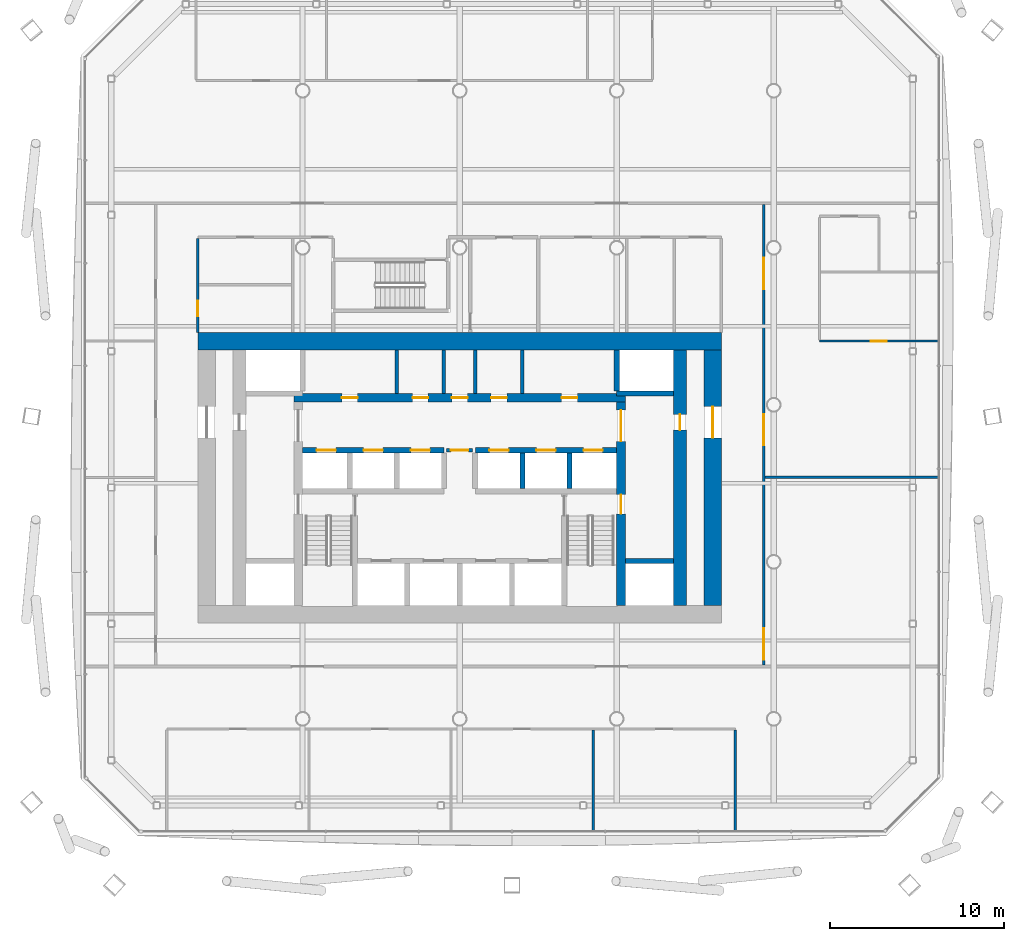
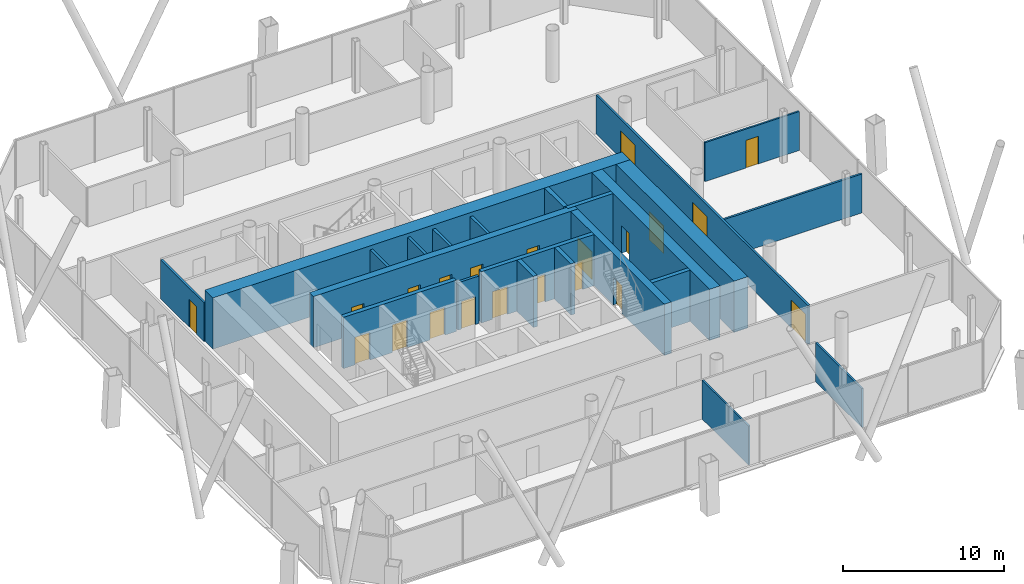
# One storey, part 15 of 22: 23 walls, 21 doors, 21 openings.
"""IFC4 building model written with IfcOpenShell, lengths in metres."""

from ifc_helpers import new_model, si_unit, direction, frame, frame_2d, origin, place, context, subcontext, project, spatial, rectangle, extrude, material, layer, layer_set, type_object, element, fill, save


model = new_model("IFC4")

# Units and contexts
model_context = context("Model", 3, precision=1e-05, world=origin(), true_north=direction((0.0, 1.0)))
body_context = subcontext(model_context, "Body", "Model", "MODEL_VIEW")
ifc_project = project(units=[si_unit("LENGTHUNIT", "METRE"), si_unit("AREAUNIT", "SQUARE_METRE"), si_unit("VOLUMEUNIT", "CUBIC_METRE"), si_unit("PLANEANGLEUNIT", "RADIAN"), si_unit("MASSUNIT", "GRAM", prefix="KILO")], contexts=[model_context])

# Site, building, storey
site_placement = place(None, origin())
site = spatial("IfcSite", under=ifc_project, at=site_placement, CompositionType="ELEMENT")
building_placement = place(site_placement, origin())
building = spatial("IfcBuilding", under=site, at=building_placement, Name="Tskaro Facet Tower", CompositionType="ELEMENT")
storey_placement = place(building_placement, frame((0.0, 0.0, 85.5)))
storey = spatial("IfcBuildingStorey", under=building, at=storey_placement, Name="L20", CompositionType="ELEMENT", Elevation=85.5)

# Wall
ifc_material_1 = material(Name="Concrete C60/75", Category="concrete")
ifc_layer_1 = layer(ifc_material_1, 0.300048828125, Name="Concrete C60/75")
ifc_layer_set_1 = layer_set([ifc_layer_1], Name="Concrete C60/75")
wall_type_1 = type_object("IfcWallType", Name="CORE-SHAFT", PredefinedType="SHEAR", material=ifc_layer_set_1)
wall_1_placement = place(storey_placement, frame((9.5, -8.949951171875, 0.0), z_axis=(0.0, 0.0, 1.0), x_axis=(1.0, 0.0, 0.0)))
element("IfcWall", 1, at=wall_1_placement, inside=storey, type_object=wall_type_1, Name="Shaft wall W006", PredefinedType="SHEAR", context=body_context, shape_type="SweptSolid", body=[
    extrude(rectangle(XDim=2.75, YDim=0.300048828125, at=frame_2d((1.375, 0.0))), origin(), (0.0, 0.0, 1.0), 3.89990234375),
])

# Wall, openings, doors
wall_2_placement = place(storey_placement, frame((-9.0, -2.60009765625, 0.0), z_axis=(0.0, 0.0, 1.0), x_axis=(1.0, 0.0, 0.0)))
wall_2 = element("IfcWall", 2, at=wall_2_placement, inside=storey, type_object=wall_type_1, Name="Shaft wall W011", PredefinedType="SHEAR", context=body_context, shape_type="SweptSolid", body=[
    extrude(rectangle(XDim=8.10009765625, YDim=0.300048828125, at=frame_2d((4.050048828125, 0.0))), origin(), (0.0, 0.0, 1.0), 3.89990234375),
])
opening_1_placement = place(wall_2_placement, frame((0.800048828125, 0.0, 0.0)))
opening_1 = element("IfcOpeningElement", 3, at=opening_1_placement, cuts=wall_2, Name="Opening LD-LR1", PredefinedType="OPENING", context=body_context, shape_type="SweptSolid", body=[
    extrude(rectangle(XDim=1.10009765625, YDim=2.10009765625, at=frame_2d((0.550048828125, 1.050048828125))), frame((0.0, 0.159912109375, 0.0), z_axis=(0.0, -1.0, 0.0), x_axis=(1.0, 0.0, 0.0)), (0.0, 0.0, 1.0), 0.320068359375),
])
opening_2_placement = place(wall_2_placement, frame((3.5, 0.0, 0.0)))
opening_2 = element("IfcOpeningElement", 4, at=opening_2_placement, cuts=wall_2, Name="Opening LD-LR2", PredefinedType="OPENING", context=body_context, shape_type="SweptSolid", body=[
    extrude(rectangle(XDim=1.10009765625, YDim=2.10009765625, at=frame_2d((0.550048828125, 1.050048828125))), frame((0.0, 0.159912109375, 0.0), z_axis=(0.0, -1.0, 0.0), x_axis=(1.0, 0.0, 0.0)), (0.0, 0.0, 1.0), 0.320068359375),
])
opening_3_placement = place(wall_2_placement, frame((6.199951171875, 0.0, 0.0)))
opening_3 = element("IfcOpeningElement", 5, at=opening_3_placement, cuts=wall_2, Name="Opening LD-LR3", PredefinedType="OPENING", context=body_context, shape_type="SweptSolid", body=[
    extrude(rectangle(XDim=1.10009765625, YDim=2.10009765625, at=frame_2d((0.550048828125, 1.050048828125))), frame((0.0, 0.159912109375, 0.0), z_axis=(0.0, -1.0, 0.0), x_axis=(1.0, 0.0, 0.0)), (0.0, 0.0, 1.0), 0.320068359375),
])
ifc_material_2 = material(Name="Stainless steel", Category="steel")
door_type_1 = type_object("IfcDoorType", Name="D-LANDING", OperationType="NOTDEFINED", PredefinedType="DOOR", material=ifc_material_2)
door_1_placement = place(opening_1_placement, origin())
door_1 = element("IfcDoor", 6, at=door_1_placement, inside=storey, type_object=door_type_1, Name="Landing door LR1", OperationType="DOUBLE_DOOR_SLIDING", OverallHeight=2.10009765625, OverallWidth=1.10009765625, PredefinedType="DOOR", context=body_context, shape_type="SweptSolid", body=[
    extrude(rectangle(XDim=1.10009765625, YDim=2.10009765625, at=frame_2d((0.550048828125, 1.050048828125))), frame((0.0, 0.02490234375, 0.0), z_axis=(0.0, -1.0, 0.0), x_axis=(1.0, 0.0, 0.0)), (0.0, 0.0, 1.0), 0.050048828125),
])
fill(opening_1, door_1)
door_2_placement = place(opening_2_placement, origin())
door_2 = element("IfcDoor", 7, at=door_2_placement, inside=storey, type_object=door_type_1, Name="Landing door LR2", OperationType="DOUBLE_DOOR_SLIDING", OverallHeight=2.10009765625, OverallWidth=1.10009765625, PredefinedType="DOOR", context=body_context, shape_type="SweptSolid", body=[
    extrude(rectangle(XDim=1.10009765625, YDim=2.10009765625, at=frame_2d((0.550048828125, 1.050048828125))), frame((0.0, 0.02490234375, 0.0), z_axis=(0.0, -1.0, 0.0), x_axis=(1.0, 0.0, 0.0)), (0.0, 0.0, 1.0), 0.050048828125),
])
fill(opening_2, door_2)
door_3_placement = place(opening_3_placement, origin())
door_3 = element("IfcDoor", 8, at=door_3_placement, inside=storey, type_object=door_type_1, Name="Landing door LR3", OperationType="DOUBLE_DOOR_SLIDING", OverallHeight=2.10009765625, OverallWidth=1.10009765625, PredefinedType="DOOR", context=body_context, shape_type="SweptSolid", body=[
    extrude(rectangle(XDim=1.10009765625, YDim=2.10009765625, at=frame_2d((0.550048828125, 1.050048828125))), frame((0.0, 0.02490234375, 0.0), z_axis=(0.0, -1.0, 0.0), x_axis=(1.0, 0.0, 0.0)), (0.0, 0.0, 1.0), 0.050048828125),
])
fill(opening_3, door_3)

wall_3_placement = place(storey_placement, frame((0.89990234375, -2.60009765625, 0.0), z_axis=(0.0, 0.0, 1.0), x_axis=(1.0, 0.0, 0.0)))
wall_3 = element("IfcWall", 9, at=wall_3_placement, inside=storey, type_object=wall_type_1, Name="Shaft wall W013", PredefinedType="SHEAR", context=body_context, shape_type="SweptSolid", body=[
    extrude(rectangle(XDim=8.10009765625, YDim=0.300048828125, at=frame_2d((4.050048828125, 0.0))), origin(), (0.0, 0.0, 1.0), 3.89990234375),
])
opening_4_placement = place(wall_3_placement, frame((0.800048828125, 0.0, 0.0)))
opening_4 = element("IfcOpeningElement", 10, at=opening_4_placement, cuts=wall_3, Name="Opening LD-LR4", PredefinedType="OPENING", context=body_context, shape_type="SweptSolid", body=[
    extrude(rectangle(XDim=1.10009765625, YDim=2.10009765625, at=frame_2d((0.550048828125, 1.050048828125))), frame((0.0, 0.159912109375, 0.0), z_axis=(0.0, -1.0, 0.0), x_axis=(1.0, 0.0, 0.0)), (0.0, 0.0, 1.0), 0.320068359375),
])
opening_5_placement = place(wall_3_placement, frame((3.5, 0.0, 0.0)))
opening_5 = element("IfcOpeningElement", 11, at=opening_5_placement, cuts=wall_3, Name="Opening LD-LR5", PredefinedType="OPENING", context=body_context, shape_type="SweptSolid", body=[
    extrude(rectangle(XDim=1.10009765625, YDim=2.10009765625, at=frame_2d((0.550048828125, 1.050048828125))), frame((0.0, 0.159912109375, 0.0), z_axis=(0.0, -1.0, 0.0), x_axis=(1.0, 0.0, 0.0)), (0.0, 0.0, 1.0), 0.320068359375),
])
opening_6_placement = place(wall_3_placement, frame((6.199951171875, 0.0, 0.0)))
opening_6 = element("IfcOpeningElement", 12, at=opening_6_placement, cuts=wall_3, Name="Opening LD-LR6", PredefinedType="OPENING", context=body_context, shape_type="SweptSolid", body=[
    extrude(rectangle(XDim=1.10009765625, YDim=2.10009765625, at=frame_2d((0.550048828125, 1.050048828125))), frame((0.0, 0.159912109375, 0.0), z_axis=(0.0, -1.0, 0.0), x_axis=(1.0, 0.0, 0.0)), (0.0, 0.0, 1.0), 0.320068359375),
])
door_4_placement = place(opening_4_placement, origin())
door_4 = element("IfcDoor", 13, at=door_4_placement, inside=storey, type_object=door_type_1, Name="Landing door LR4", OperationType="DOUBLE_DOOR_SLIDING", OverallHeight=2.10009765625, OverallWidth=1.10009765625, PredefinedType="DOOR", context=body_context, shape_type="SweptSolid", body=[
    extrude(rectangle(XDim=1.10009765625, YDim=2.10009765625, at=frame_2d((0.550048828125, 1.050048828125))), frame((0.0, 0.02490234375, 0.0), z_axis=(0.0, -1.0, 0.0), x_axis=(1.0, 0.0, 0.0)), (0.0, 0.0, 1.0), 0.050048828125),
])
fill(opening_4, door_4)
door_5_placement = place(opening_5_placement, origin())
door_5 = element("IfcDoor", 14, at=door_5_placement, inside=storey, type_object=door_type_1, Name="Landing door LR5", OperationType="DOUBLE_DOOR_SLIDING", OverallHeight=2.10009765625, OverallWidth=1.10009765625, PredefinedType="DOOR", context=body_context, shape_type="SweptSolid", body=[
    extrude(rectangle(XDim=1.10009765625, YDim=2.10009765625, at=frame_2d((0.550048828125, 1.050048828125))), frame((0.0, 0.02490234375, 0.0), z_axis=(0.0, -1.0, 0.0), x_axis=(1.0, 0.0, 0.0)), (0.0, 0.0, 1.0), 0.050048828125),
])
fill(opening_5, door_5)
door_6_placement = place(opening_6_placement, origin())
door_6 = element("IfcDoor", 15, at=door_6_placement, inside=storey, type_object=door_type_1, Name="Landing door LR6", OperationType="DOUBLE_DOOR_SLIDING", OverallHeight=2.10009765625, OverallWidth=1.10009765625, PredefinedType="DOOR", context=body_context, shape_type="SweptSolid", body=[
    extrude(rectangle(XDim=1.10009765625, YDim=2.10009765625, at=frame_2d((0.550048828125, 1.050048828125))), frame((0.0, 0.02490234375, 0.0), z_axis=(0.0, -1.0, 0.0), x_axis=(1.0, 0.0, 0.0)), (0.0, 0.0, 1.0), 0.050048828125),
])
fill(opening_6, door_6)

# Walls
wall_4_placement = place(storey_placement, frame((12.25, 0.64990234375, 0.0), z_axis=(0.0, 0.0, 1.0), x_axis=(-1.0, 0.0, 0.0)))
element("IfcWall", 16, at=wall_4_placement, inside=storey, type_object=wall_type_1, Name="Shaft wall W015", PredefinedType="SHEAR", context=body_context, shape_type="SweptSolid", body=[
    extrude(rectangle(XDim=3.25, YDim=0.300048828125, at=frame_2d((1.625, 0.0))), origin(), (0.0, 0.0, 1.0), 3.89990234375),
])
for number, where, z_axis, x_axis, name in (
    (17, (3.60009765625, -4.800048828125, 0.0), (0.0, 0.0, 1.0), (0.0, 1.0, 0.0), "Shaft wall W054"),
    (18, (6.300048828125, -4.800048828125, 0.0), (0.0, 0.0, 1.0), (0.0, 1.0, 0.0), "Shaft wall W058"),
):
    element("IfcWall", number, at=place(storey_placement, frame(where, z_axis=z_axis, x_axis=x_axis)), inside=storey, type_object=wall_type_1, Name=name, PredefinedType="SHEAR", context=body_context, shape_type="SweptSolid", body=[
        extrude(rectangle(XDim=2.050048828125, YDim=0.300048828125, at=frame_2d((1.02490234375, 0.0))), origin(), (0.0, 0.0, 1.0), 3.89990234375),
    ])
wall_5_placement = place(storey_placement, frame((9.0, 0.800048828125, 0.0), z_axis=(0.0, 0.0, 1.0), x_axis=(0.0, 1.0, 0.0)))
element("IfcWall", 19, at=wall_5_placement, inside=storey, type_object=wall_type_1, Name="Shaft wall W061", PredefinedType="SHEAR", context=body_context, shape_type="SweptSolid", body=[
    extrude(rectangle(XDim=2.349853515625, YDim=0.300048828125, at=frame_2d((1.1748046875, 0.0))), origin(), (0.0, 0.0, 1.0), 3.89990234375),
])

# Wall, opening, door
ifc_material_3 = material(Name="Concrete C20/25", Category="concrete")
ifc_layer_2 = layer(ifc_material_3, 0.199951171875, Name="Concrete C20/25")
ifc_layer_set_2 = layer_set([ifc_layer_2], Name="Concrete C20/25")
wall_type_2 = type_object("IfcWallType", Name="CORE-WALL", PredefinedType="SOLIDWALL", material=ifc_layer_set_2)
wall_6_placement = place(storey_placement, frame((0.75, -2.60009765625, 0.0), z_axis=(0.0, 0.0, 1.0), x_axis=(-1.0, 0.0, 0.0)))
wall_6 = element("IfcWall", 20, at=wall_6_placement, inside=storey, type_object=wall_type_2, Name="Core room wall W012", PredefinedType="SOLIDWALL", context=body_context, shape_type="SweptSolid", body=[
    extrude(rectangle(XDim=1.5, YDim=0.199951171875, at=frame_2d((0.75, 0.0))), origin(), (0.0, 0.0, 1.0), 3.60009765625),
])
opening_7_placement = place(wall_6_placement, frame((0.25, 0.0, 0.0)))
opening_7 = element("IfcOpeningElement", 21, at=opening_7_placement, cuts=wall_6, Name="Opening FL-D1", PredefinedType="OPENING", context=body_context, shape_type="SweptSolid", body=[
    extrude(rectangle(XDim=1.0, YDim=2.10009765625, at=frame_2d((0.5, 1.050048828125))), frame((0.0, 0.10986328125, 0.0), z_axis=(0.0, -1.0, 0.0), x_axis=(1.0, 0.0, 0.0)), (0.0, 0.0, 1.0), 0.219970703125),
])
ifc_material_4 = material(Name="Steel", Category="steel")
door_type_2 = type_object("IfcDoorType", Name="D-LOBBY", OperationType="NOTDEFINED", PredefinedType="DOOR", material=ifc_material_4)
door_7_placement = place(opening_7_placement, origin())
door_7 = element("IfcDoor", 22, at=door_7_placement, inside=storey, type_object=door_type_2, Name="Lobby door FL", OperationType="SINGLE_SWING_RIGHT", OverallHeight=2.10009765625, OverallWidth=1.0, PredefinedType="DOOR", context=body_context, shape_type="SweptSolid", body=[
    extrude(rectangle(XDim=1.0, YDim=2.10009765625, at=frame_2d((0.5, 1.050048828125))), frame((0.0, 0.02490234375, 0.0), z_axis=(0.0, -1.0, 0.0), x_axis=(1.0, 0.0, 0.0)), (0.0, 0.0, 1.0), 0.050048828125),
])
fill(opening_7, door_7)

# Walls
for number, where, z_axis, x_axis, name in (
    (23, (-3.60009765625, 0.64990234375, 0.0), (0.0, 0.0, 1.0), (0.0, 1.0, 0.0), "Core room wall W042"),
    (24, (-0.89990234375, 0.64990234375, 0.0), (0.0, 0.0, 1.0), (0.0, 1.0, 0.0), "Core room wall W045"),
    (25, (0.89990234375, 0.64990234375, 0.0), (0.0, 0.0, 1.0), (0.0, 1.0, 0.0), "Core room wall W052"),
    (26, (3.60009765625, 0.64990234375, 0.0), (0.0, 0.0, 1.0), (0.0, 1.0, 0.0), "Core room wall W055"),
):
    element("IfcWall", number, at=place(storey_placement, frame(where, z_axis=z_axis, x_axis=x_axis)), inside=storey, type_object=wall_type_2, Name=name, PredefinedType="SOLIDWALL", context=body_context, shape_type="SweptSolid", body=[
        extrude(rectangle(XDim=2.5, YDim=0.199951171875, at=frame_2d((1.25, 0.0))), origin(), (0.0, 0.0, 1.0), 3.60009765625),
    ])
ifc_layer_3 = layer(ifc_material_1, 1.0, Name="Concrete C60/75")
ifc_layer_set_3 = layer_set([ifc_layer_3], Name="Concrete C60/75")
wall_type_3 = type_object("IfcWallType", Name="Core wall 1000", PredefinedType="SHEAR", material=ifc_layer_set_3)
wall_7_placement = place(storey_placement, frame((-15.0, 3.64990234375, 0.0), z_axis=(0.0, 0.0, 1.0), x_axis=(1.0, 0.0, 0.0)))
element("IfcWall", 27, at=wall_7_placement, inside=storey, type_object=wall_type_3, Name="Core wall CW-Z1N", PredefinedType="SHEAR", context=body_context, shape_type="SweptSolid", body=[
    extrude(rectangle(XDim=30.0, YDim=1.0, at=frame_2d((15.0, 0.0))), origin(), (0.0, 0.0, 1.0), 3.89990234375),
])

# Wall, opening, door
wall_8_placement = place(storey_placement, frame((14.5, -11.5, 0.0), z_axis=(0.0, 0.0, 1.0), x_axis=(0.0, 1.0, 0.0)))
wall_8 = element("IfcWall", 28, at=wall_8_placement, inside=storey, type_object=wall_type_3, Name="Core wall CW-Z1E", PredefinedType="SHEAR", context=body_context, shape_type="SweptSolid", body=[
    extrude(rectangle(XDim=14.64990234375, YDim=1.0, at=frame_2d((7.324951171875, 0.0))), origin(), (0.0, 0.0, 1.0), 3.89990234375),
])
opening_8_placement = place(wall_8_placement, frame((9.60009765625, 0.0, 0.0)))
opening_8 = element("IfcOpeningElement", 29, at=opening_8_placement, cuts=wall_8, Name="Opening T6-D18", PredefinedType="OPENING", context=body_context, shape_type="SweptSolid", body=[
    extrude(rectangle(XDim=1.800048828125, YDim=2.10009765625, at=frame_2d((0.89990234375, 1.050048828125))), frame((0.0, 0.510009765625, 0.0), z_axis=(0.0, -1.0, 0.0), x_axis=(1.0, 0.0, 0.0)), (0.0, 0.0, 1.0), 1.02001953125),
])
door_type_3 = type_object("IfcDoorType", Name="D-CORE-PAIR", OperationType="NOTDEFINED", PredefinedType="DOOR", material=ifc_material_4)
door_8_placement = place(opening_8_placement, origin())
door_8 = element("IfcDoor", 30, at=door_8_placement, inside=storey, type_object=door_type_3, Name="Door T6-D18", OperationType="DOUBLE_DOOR_SINGLE_SWING", OverallHeight=2.10009765625, OverallWidth=1.800048828125, PredefinedType="DOOR", context=body_context, shape_type="SweptSolid", body=[
    extrude(rectangle(XDim=1.800048828125, YDim=2.10009765625, at=frame_2d((0.89990234375, 1.050048828125))), frame((0.0, 0.02490234375, 0.0), z_axis=(0.0, -1.0, 0.0), x_axis=(1.0, 0.0, 0.0)), (0.0, 0.0, 1.0), 0.050048828125),
])
fill(opening_8, door_8)

# Wall, openings, doors
ifc_material_5 = material(Name="Concrete C40/50", Category="concrete")
ifc_layer_4 = layer(ifc_material_5, 0.5, Name="Concrete C40/50")
ifc_layer_set_4 = layer_set([ifc_layer_4], Name="Concrete C40/50")
wall_type_4 = type_object("IfcWallType", Name="Core wall 500", PredefinedType="SHEAR", material=ifc_layer_set_4)
wall_9_placement = place(storey_placement, frame((-9.5, 0.39990234375, 0.0), z_axis=(0.0, 0.0, 1.0), x_axis=(1.0, 0.0, 0.0)))
wall_9 = element("IfcWall", 31, at=wall_9_placement, inside=storey, type_object=wall_type_4, Name="Core wall CW-Z3N", PredefinedType="SHEAR", context=body_context, shape_type="SweptSolid", body=[
    extrude(rectangle(XDim=19.0, YDim=0.5, at=frame_2d((9.5, 0.0))), origin(), (0.0, 0.0, 1.0), 3.89990234375),
])
opening_9_placement = place(wall_9_placement, frame((2.75, 0.0, 0.0)))
opening_9 = element("IfcOpeningElement", 32, at=opening_9_placement, cuts=wall_9, Name="Opening T6-D20", PredefinedType="OPENING", context=body_context, shape_type="SweptSolid", body=[
    extrude(rectangle(XDim=0.89990234375, YDim=2.10009765625, at=frame_2d((0.449951171875, 1.050048828125))), frame((0.0, 0.260009765625, 0.0), z_axis=(0.0, -1.0, 0.0), x_axis=(1.0, 0.0, 0.0)), (0.0, 0.0, 1.0), 0.52001953125),
])
opening_10_placement = place(wall_9_placement, frame((6.800048828125, 0.0, 0.0)))
opening_10 = element("IfcOpeningElement", 33, at=opening_10_placement, cuts=wall_9, Name="Opening T6-D21", PredefinedType="OPENING", context=body_context, shape_type="SweptSolid", body=[
    extrude(rectangle(XDim=0.89990234375, YDim=2.10009765625, at=frame_2d((0.449951171875, 1.050048828125))), frame((0.0, 0.260009765625, 0.0), z_axis=(0.0, -1.0, 0.0), x_axis=(1.0, 0.0, 0.0)), (0.0, 0.0, 1.0), 0.52001953125),
])
opening_11_placement = place(wall_9_placement, frame((11.300048828125, 0.0, 0.0)))
opening_11 = element("IfcOpeningElement", 34, at=opening_11_placement, cuts=wall_9, Name="Opening T6-D23", PredefinedType="OPENING", context=body_context, shape_type="SweptSolid", body=[
    extrude(rectangle(XDim=0.89990234375, YDim=2.10009765625, at=frame_2d((0.449951171875, 1.050048828125))), frame((0.0, 0.260009765625, 0.0), z_axis=(0.0, -1.0, 0.0), x_axis=(1.0, 0.0, 0.0)), (0.0, 0.0, 1.0), 0.52001953125),
])
opening_12_placement = place(wall_9_placement, frame((15.35009765625, 0.0, 0.0)))
opening_12 = element("IfcOpeningElement", 35, at=opening_12_placement, cuts=wall_9, Name="Opening T6-D24", PredefinedType="OPENING", context=body_context, shape_type="SweptSolid", body=[
    extrude(rectangle(XDim=0.89990234375, YDim=2.10009765625, at=frame_2d((0.449951171875, 1.050048828125))), frame((0.0, 0.260009765625, 0.0), z_axis=(0.0, -1.0, 0.0), x_axis=(1.0, 0.0, 0.0)), (0.0, 0.0, 1.0), 0.52001953125),
])
opening_13_placement = place(wall_9_placement, frame((9.050048828125, 0.0, 0.0)))
opening_13 = element("IfcOpeningElement", 36, at=opening_13_placement, cuts=wall_9, Name="Opening T6-D22", PredefinedType="OPENING", context=body_context, shape_type="SweptSolid", body=[
    extrude(rectangle(XDim=0.89990234375, YDim=2.10009765625, at=frame_2d((0.449951171875, 1.050048828125))), frame((0.0, 0.260009765625, 0.0), z_axis=(0.0, -1.0, 0.0), x_axis=(1.0, 0.0, 0.0)), (0.0, 0.0, 1.0), 0.52001953125),
])
door_type_4 = type_object("IfcDoorType", Name="D-RISER", OperationType="NOTDEFINED", PredefinedType="DOOR", material=ifc_material_4)
door_9_placement = place(opening_13_placement, origin())
door_9 = element("IfcDoor", 37, at=door_9_placement, inside=storey, type_object=door_type_4, Name="Door T6-D22", OperationType="SINGLE_SWING_LEFT", OverallHeight=2.10009765625, OverallWidth=0.89990234375, PredefinedType="DOOR", context=body_context, shape_type="SweptSolid", body=[
    extrude(rectangle(XDim=0.89990234375, YDim=2.10009765625, at=frame_2d((0.449951171875, 1.050048828125))), frame((0.0, 0.02490234375, 0.0), z_axis=(0.0, -1.0, 0.0), x_axis=(1.0, 0.0, 0.0)), (0.0, 0.0, 1.0), 0.050048828125),
])
fill(opening_13, door_9)
ifc_material_6 = material(Name="Timber", Category="wood")
door_type_5 = type_object("IfcDoorType", Name="D-ROOM", OperationType="NOTDEFINED", PredefinedType="DOOR", material=ifc_material_6)
door_10_placement = place(opening_9_placement, origin())
door_10 = element("IfcDoor", 38, at=door_10_placement, inside=storey, type_object=door_type_5, Name="Door T6-D20", OperationType="SINGLE_SWING_LEFT", OverallHeight=2.10009765625, OverallWidth=0.89990234375, PredefinedType="DOOR", context=body_context, shape_type="SweptSolid", body=[
    extrude(rectangle(XDim=0.89990234375, YDim=2.10009765625, at=frame_2d((0.449951171875, 1.050048828125))), frame((0.0, 0.02490234375, 0.0), z_axis=(0.0, -1.0, 0.0), x_axis=(1.0, 0.0, 0.0)), (0.0, 0.0, 1.0), 0.050048828125),
])
fill(opening_9, door_10)
door_11_placement = place(opening_10_placement, origin())
door_11 = element("IfcDoor", 39, at=door_11_placement, inside=storey, type_object=door_type_5, Name="Door T6-D21", OperationType="SINGLE_SWING_LEFT", OverallHeight=2.10009765625, OverallWidth=0.89990234375, PredefinedType="DOOR", context=body_context, shape_type="SweptSolid", body=[
    extrude(rectangle(XDim=0.89990234375, YDim=2.10009765625, at=frame_2d((0.449951171875, 1.050048828125))), frame((0.0, 0.02490234375, 0.0), z_axis=(0.0, -1.0, 0.0), x_axis=(1.0, 0.0, 0.0)), (0.0, 0.0, 1.0), 0.050048828125),
])
fill(opening_10, door_11)
door_12_placement = place(opening_11_placement, origin())
door_12 = element("IfcDoor", 40, at=door_12_placement, inside=storey, type_object=door_type_5, Name="Door T6-D23", OperationType="SINGLE_SWING_LEFT", OverallHeight=2.10009765625, OverallWidth=0.89990234375, PredefinedType="DOOR", context=body_context, shape_type="SweptSolid", body=[
    extrude(rectangle(XDim=0.89990234375, YDim=2.10009765625, at=frame_2d((0.449951171875, 1.050048828125))), frame((0.0, 0.02490234375, 0.0), z_axis=(0.0, -1.0, 0.0), x_axis=(1.0, 0.0, 0.0)), (0.0, 0.0, 1.0), 0.050048828125),
])
fill(opening_11, door_12)
door_13_placement = place(opening_12_placement, origin())
door_13 = element("IfcDoor", 41, at=door_13_placement, inside=storey, type_object=door_type_5, Name="Door T6-D24", OperationType="SINGLE_SWING_LEFT", OverallHeight=2.10009765625, OverallWidth=0.89990234375, PredefinedType="DOOR", context=body_context, shape_type="SweptSolid", body=[
    extrude(rectangle(XDim=0.89990234375, YDim=2.10009765625, at=frame_2d((0.449951171875, 1.050048828125))), frame((0.0, 0.02490234375, 0.0), z_axis=(0.0, -1.0, 0.0), x_axis=(1.0, 0.0, 0.0)), (0.0, 0.0, 1.0), 0.050048828125),
])
fill(opening_12, door_13)

wall_10_placement = place(storey_placement, frame((9.25, -11.5, 0.0), z_axis=(0.0, 0.0, 1.0), x_axis=(0.0, 1.0, 0.0)))
wall_10 = element("IfcWall", 42, at=wall_10_placement, inside=storey, type_object=wall_type_4, Name="Core wall CW-Z3E", PredefinedType="SHEAR", context=body_context, shape_type="SweptSolid", body=[
    extrude(rectangle(XDim=11.64990234375, YDim=0.5, at=frame_2d((5.824951171875, 0.0))), origin(), (0.0, 0.0, 1.0), 3.89990234375),
])
opening_14_placement = place(wall_10_placement, frame((9.39990234375, 0.0, 0.0)))
opening_14 = element("IfcOpeningElement", 43, at=opening_14_placement, cuts=wall_10, Name="Opening T6-D14", PredefinedType="OPENING", context=body_context, shape_type="SweptSolid", body=[
    extrude(rectangle(XDim=1.800048828125, YDim=2.10009765625, at=frame_2d((0.89990234375, 1.050048828125))), frame((0.0, 0.260009765625, 0.0), z_axis=(0.0, -1.0, 0.0), x_axis=(1.0, 0.0, 0.0)), (0.0, 0.0, 1.0), 0.52001953125),
])
opening_15_placement = place(wall_10_placement, frame((5.25, 0.0, 0.0)))
opening_15 = element("IfcOpeningElement", 44, at=opening_15_placement, cuts=wall_10, Name="Opening ST-2-D2", PredefinedType="OPENING", context=body_context, shape_type="SweptSolid", body=[
    extrude(rectangle(XDim=1.10009765625, YDim=2.10009765625, at=frame_2d((0.550048828125, 1.050048828125))), frame((0.0, 0.260009765625, 0.0), z_axis=(0.0, -1.0, 0.0), x_axis=(1.0, 0.0, 0.0)), (0.0, 0.0, 1.0), 0.52001953125),
])
door_14_placement = place(opening_14_placement, origin())
door_14 = element("IfcDoor", 45, at=door_14_placement, inside=storey, type_object=door_type_3, Name="Door T6-D14", OperationType="DOUBLE_DOOR_SINGLE_SWING", OverallHeight=2.10009765625, OverallWidth=1.800048828125, PredefinedType="DOOR", context=body_context, shape_type="SweptSolid", body=[
    extrude(rectangle(XDim=1.800048828125, YDim=2.10009765625, at=frame_2d((0.89990234375, 1.050048828125))), frame((0.0, 0.02490234375, 0.0), z_axis=(0.0, -1.0, 0.0), x_axis=(1.0, 0.0, 0.0)), (0.0, 0.0, 1.0), 0.050048828125),
])
fill(opening_14, door_14)
door_type_6 = type_object("IfcDoorType", Name="D-STAIR", OperationType="NOTDEFINED", PredefinedType="DOOR", material=ifc_material_4)
door_15_placement = place(opening_15_placement, origin())
door_15 = element("IfcDoor", 46, at=door_15_placement, inside=storey, type_object=door_type_6, Name="Stair door 2 east", OperationType="SINGLE_SWING_LEFT", OverallHeight=2.10009765625, OverallWidth=1.10009765625, PredefinedType="DOOR", context=body_context, shape_type="SweptSolid", body=[
    extrude(rectangle(XDim=1.10009765625, YDim=2.10009765625, at=frame_2d((0.550048828125, 1.050048828125))), frame((0.0, 0.02490234375, 0.0), z_axis=(0.0, -1.0, 0.0), x_axis=(1.0, 0.0, 0.0)), (0.0, 0.0, 1.0), 0.050048828125),
])
fill(opening_15, door_15)

# Wall, opening, door
ifc_material_7 = material(Name="Concrete C50/60", Category="concrete")
ifc_layer_5 = layer(ifc_material_7, 0.75, Name="Concrete C50/60")
ifc_layer_set_5 = layer_set([ifc_layer_5], Name="Concrete C50/60")
wall_type_5 = type_object("IfcWallType", Name="Core wall 750", PredefinedType="SHEAR", material=ifc_layer_set_5)
wall_11_placement = place(storey_placement, frame((12.625, -11.5, 0.0), z_axis=(0.0, 0.0, 1.0), x_axis=(0.0, 1.0, 0.0)))
wall_11 = element("IfcWall", 47, at=wall_11_placement, inside=storey, type_object=wall_type_5, Name="Core wall CW-Z2E", PredefinedType="SHEAR", context=body_context, shape_type="SweptSolid", body=[
    extrude(rectangle(XDim=14.64990234375, YDim=0.75, at=frame_2d((7.324951171875, 0.0))), origin(), (0.0, 0.0, 1.0), 3.89990234375),
])
opening_16_placement = place(wall_11_placement, frame((10.050048828125, 0.0, 0.0)))
opening_16 = element("IfcOpeningElement", 48, at=opening_16_placement, cuts=wall_11, Name="Opening T6-D17", PredefinedType="OPENING", context=body_context, shape_type="SweptSolid", body=[
    extrude(rectangle(XDim=0.89990234375, YDim=2.10009765625, at=frame_2d((0.449951171875, 1.050048828125))), frame((0.0, 0.385009765625, 0.0), z_axis=(0.0, -1.0, 0.0), x_axis=(1.0, 0.0, 0.0)), (0.0, 0.0, 1.0), 0.77001953125),
])
door_16_placement = place(opening_16_placement, origin())
door_16 = element("IfcDoor", 49, at=door_16_placement, inside=storey, type_object=door_type_5, Name="Door T6-D17", OperationType="SINGLE_SWING_LEFT", OverallHeight=2.10009765625, OverallWidth=0.89990234375, PredefinedType="DOOR", context=body_context, shape_type="SweptSolid", body=[
    extrude(rectangle(XDim=0.89990234375, YDim=2.10009765625, at=frame_2d((0.449951171875, 1.050048828125))), frame((0.0, 0.02490234375, 0.0), z_axis=(0.0, -1.0, 0.0), x_axis=(1.0, 0.0, 0.0)), (0.0, 0.0, 1.0), 0.050048828125),
])
fill(opening_16, door_16)

ifc_material_8 = material(Name="Gypsum board on steel studs", Category="steel")
ifc_layer_6 = layer(ifc_material_8, 0.125, Name="Gypsum board on steel studs")
ifc_layer_set_6 = layer_set([ifc_layer_6], Name="Gypsum board on steel studs")
wall_type_6 = type_object("IfcWallType", Name="PART", PredefinedType="PARTITIONING", material=ifc_layer_set_6)
wall_12_placement = place(storey_placement, frame((20.625, 3.64794921875, 0.0), z_axis=(0.0, 0.0, 1.0), x_axis=(1.0, 0.0, 0.0)))
wall_12 = element("IfcWall", 50, at=wall_12_placement, inside=storey, type_object=wall_type_6, Name="Partition W017", PredefinedType="PARTITIONING", context=body_context, shape_type="SweptSolid", body=[
    extrude(rectangle(XDim=6.7880859375, YDim=0.125, at=frame_2d((3.39404296875, 0.0))), origin(), (0.0, 0.0, 1.0), 2.9599609375),
])
opening_17_placement = place(wall_12_placement, frame((2.944091796875, 0.0, 0.0)))
opening_17 = element("IfcOpeningElement", 51, at=opening_17_placement, cuts=wall_12, Name="Opening T6-D27", PredefinedType="OPENING", context=body_context, shape_type="SweptSolid", body=[
    extrude(rectangle(XDim=0.89990234375, YDim=2.10009765625, at=frame_2d((0.449951171875, 1.050048828125))), frame((0.0, 0.072509765625, 0.0), z_axis=(0.0, -1.0, 0.0), x_axis=(1.0, 0.0, 0.0)), (0.0, 0.0, 1.0), 0.14501953125),
])
door_17_placement = place(opening_17_placement, origin())
door_17 = element("IfcDoor", 52, at=door_17_placement, inside=storey, type_object=door_type_5, Name="Door T6-D27", OperationType="SINGLE_SWING_LEFT", OverallHeight=2.10009765625, OverallWidth=0.89990234375, PredefinedType="DOOR", context=body_context, shape_type="SweptSolid", body=[
    extrude(rectangle(XDim=0.89990234375, YDim=2.10009765625, at=frame_2d((0.449951171875, 1.050048828125))), frame((0.0, 0.02490234375, 0.0), z_axis=(0.0, -1.0, 0.0), x_axis=(1.0, 0.0, 0.0)), (0.0, 0.0, 1.0), 0.050048828125),
])
fill(opening_17, door_17)

# Walls
for number, where, z_axis, x_axis, name in (
    (53, (7.653076171875, -24.4130859375, 0.0), (0.0, 0.0, 1.0), (0.0, 1.0, 0.0), "Partition W060"),
    (54, (15.798095703125, -24.4130859375, 0.0), (0.0, 0.0, 1.0), (0.0, 1.0, 0.0), "Partition W066"),
):
    element("IfcWall", number, at=place(storey_placement, frame(where, z_axis=z_axis, x_axis=x_axis)), inside=storey, type_object=wall_type_6, Name=name, PredefinedType="PARTITIONING", context=body_context, shape_type="SweptSolid", body=[
        extrude(rectangle(XDim=5.7705078125, YDim=0.125, at=frame_2d((2.88525390625, 0.0))), origin(), (0.0, 0.0, 1.0), 2.9599609375),
    ])
ifc_layer_7 = layer(ifc_material_8, 0.14990234375, Name="Gypsum board on steel studs")
ifc_layer_set_7 = layer_set([ifc_layer_7], Name="Gypsum board on steel studs")
wall_type_7 = type_object("IfcWallType", Name="PART-CORR", PredefinedType="PARTITIONING", material=ifc_layer_set_7)
wall_13_placement = place(storey_placement, frame((17.5, -4.162109375, 0.0), z_axis=(0.0, 0.0, 1.0), x_axis=(1.0, 0.0, 0.0)))
element("IfcWall", 55, at=wall_13_placement, inside=storey, type_object=wall_type_7, Name="Corridor wall W010", PredefinedType="PARTITIONING", context=body_context, shape_type="SweptSolid", body=[
    extrude(rectangle(XDim=9.9130859375, YDim=0.14990234375, at=frame_2d((4.95654296875, 0.0))), origin(), (0.0, 0.0, 1.0), 2.9599609375),
])

# Wall, opening, door
wall_14_placement = place(storey_placement, frame((-15.0, 9.530029296875, 0.0), z_axis=(0.0, 0.0, 1.0), x_axis=(0.0, -1.0, 0.0)))
wall_14 = element("IfcWall", 56, at=wall_14_placement, inside=storey, type_object=wall_type_7, Name="Corridor wall W031", PredefinedType="PARTITIONING", context=body_context, shape_type="SweptSolid", body=[
    extrude(rectangle(XDim=5.380126953125, YDim=0.14990234375, at=frame_2d((2.68994140625, 0.0))), origin(), (0.0, 0.0, 1.0), 2.9599609375),
])
opening_18_placement = place(wall_14_placement, frame((3.56591796875, 0.0, 0.0)))
opening_18 = element("IfcOpeningElement", 57, at=opening_18_placement, cuts=wall_14, Name="Opening T6-D29", PredefinedType="OPENING", context=body_context, shape_type="SweptSolid", body=[
    extrude(rectangle(XDim=0.89990234375, YDim=2.10009765625, at=frame_2d((0.449951171875, 1.050048828125))), frame((0.0, 0.0849609375, 0.0), z_axis=(0.0, -1.0, 0.0), x_axis=(1.0, 0.0, 0.0)), (0.0, 0.0, 1.0), 0.169921875),
])
door_18_placement = place(opening_18_placement, origin())
door_18 = element("IfcDoor", 58, at=door_18_placement, inside=storey, type_object=door_type_5, Name="Door T6-D29", OperationType="SINGLE_SWING_RIGHT", OverallHeight=2.10009765625, OverallWidth=0.89990234375, PredefinedType="DOOR", context=body_context, shape_type="SweptSolid", body=[
    extrude(rectangle(XDim=0.89990234375, YDim=2.10009765625, at=frame_2d((0.449951171875, 1.050048828125))), frame((0.0, 0.02490234375, 0.0), z_axis=(0.0, -1.0, 0.0), x_axis=(1.0, 0.0, 0.0)), (0.0, 0.0, 1.0), 0.050048828125),
])
fill(opening_18, door_18)

# Wall, openings, doors
wall_15_placement = place(storey_placement, frame((17.425048828125, -14.925048828125, 0.0), z_axis=(0.0, 0.0, 1.0), x_axis=(0.0, 1.0, 0.0)))
wall_15 = element("IfcWall", 59, at=wall_15_placement, inside=storey, type_object=wall_type_7, Name="Corridor wall W067", PredefinedType="PARTITIONING", context=body_context, shape_type="SweptSolid", body=[
    extrude(rectangle(XDim=26.405029296875, YDim=0.14990234375, at=frame_2d((13.20263671875, 0.0))), origin(), (0.0, 0.0, 1.0), 2.9599609375),
])
opening_19_placement = place(wall_15_placement, frame((0.3125, 0.0, 0.0)))
opening_19 = element("IfcOpeningElement", 60, at=opening_19_placement, cuts=wall_15, Name="Opening T6-D08", PredefinedType="OPENING", context=body_context, shape_type="SweptSolid", body=[
    extrude(rectangle(XDim=1.800048828125, YDim=2.10009765625, at=frame_2d((0.89990234375, 1.050048828125))), frame((0.0, 0.0849609375, 0.0), z_axis=(0.0, -1.0, 0.0), x_axis=(1.0, 0.0, 0.0)), (0.0, 0.0, 1.0), 0.169921875),
])
opening_20_placement = place(wall_15_placement, frame((12.592041015625, 0.0, 0.0)))
opening_20 = element("IfcOpeningElement", 61, at=opening_20_placement, cuts=wall_15, Name="Opening T6-D12", PredefinedType="OPENING", context=body_context, shape_type="SweptSolid", body=[
    extrude(rectangle(XDim=1.800048828125, YDim=2.10009765625, at=frame_2d((0.89990234375, 1.050048828125))), frame((0.0, 0.0849609375, 0.0), z_axis=(0.0, -1.0, 0.0), x_axis=(1.0, 0.0, 0.0)), (0.0, 0.0, 1.0), 0.169921875),
])
opening_21_placement = place(wall_15_placement, frame((21.551025390625, 0.0, 0.0)))
opening_21 = element("IfcOpeningElement", 62, at=opening_21_placement, cuts=wall_15, Name="Opening T6-D31", PredefinedType="OPENING", context=body_context, shape_type="SweptSolid", body=[
    extrude(rectangle(XDim=1.800048828125, YDim=2.10009765625, at=frame_2d((0.89990234375, 1.050048828125))), frame((0.0, 0.0849609375, 0.0), z_axis=(0.0, -1.0, 0.0), x_axis=(1.0, 0.0, 0.0)), (0.0, 0.0, 1.0), 0.169921875),
])
ifc_material_9 = material(Name="Glass", Category="glass")
door_type_7 = type_object("IfcDoorType", Name="D-ENTRY-PAIR", OperationType="NOTDEFINED", PredefinedType="DOOR", material=ifc_material_9)
door_19_placement = place(opening_19_placement, origin())
door_19 = element("IfcDoor", 63, at=door_19_placement, inside=storey, type_object=door_type_7, Name="Door T6-D08", OperationType="DOUBLE_DOOR_SINGLE_SWING", OverallHeight=2.10009765625, OverallWidth=1.800048828125, PredefinedType="DOOR", context=body_context, shape_type="SweptSolid", body=[
    extrude(rectangle(XDim=1.800048828125, YDim=2.10009765625, at=frame_2d((0.89990234375, 1.050048828125))), frame((0.0, 0.02490234375, 0.0), z_axis=(0.0, -1.0, 0.0), x_axis=(1.0, 0.0, 0.0)), (0.0, 0.0, 1.0), 0.050048828125),
])
fill(opening_19, door_19)
door_20_placement = place(opening_20_placement, origin())
door_20 = element("IfcDoor", 64, at=door_20_placement, inside=storey, type_object=door_type_7, Name="Door T6-D12", OperationType="DOUBLE_DOOR_SINGLE_SWING", OverallHeight=2.10009765625, OverallWidth=1.800048828125, PredefinedType="DOOR", context=body_context, shape_type="SweptSolid", body=[
    extrude(rectangle(XDim=1.800048828125, YDim=2.10009765625, at=frame_2d((0.89990234375, 1.050048828125))), frame((0.0, 0.02490234375, 0.0), z_axis=(0.0, -1.0, 0.0), x_axis=(1.0, 0.0, 0.0)), (0.0, 0.0, 1.0), 0.050048828125),
])
fill(opening_20, door_20)
door_21_placement = place(opening_21_placement, origin())
door_21 = element("IfcDoor", 65, at=door_21_placement, inside=storey, type_object=door_type_7, Name="Door T6-D31", OperationType="DOUBLE_DOOR_SINGLE_SWING", OverallHeight=2.10009765625, OverallWidth=1.800048828125, PredefinedType="DOOR", context=body_context, shape_type="SweptSolid", body=[
    extrude(rectangle(XDim=1.800048828125, YDim=2.10009765625, at=frame_2d((0.89990234375, 1.050048828125))), frame((0.0, 0.02490234375, 0.0), z_axis=(0.0, -1.0, 0.0), x_axis=(1.0, 0.0, 0.0)), (0.0, 0.0, 1.0), 0.050048828125),
])
fill(opening_21, door_21)

save(model, "model.ifc")
